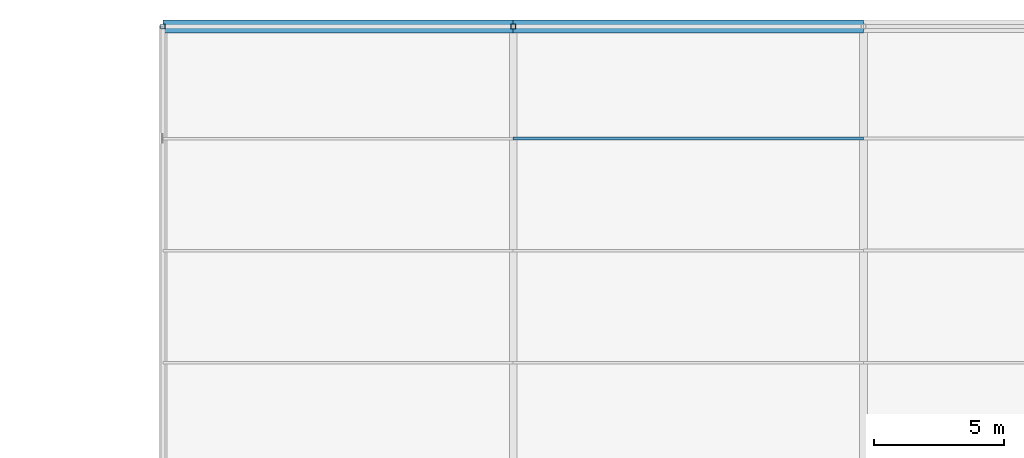
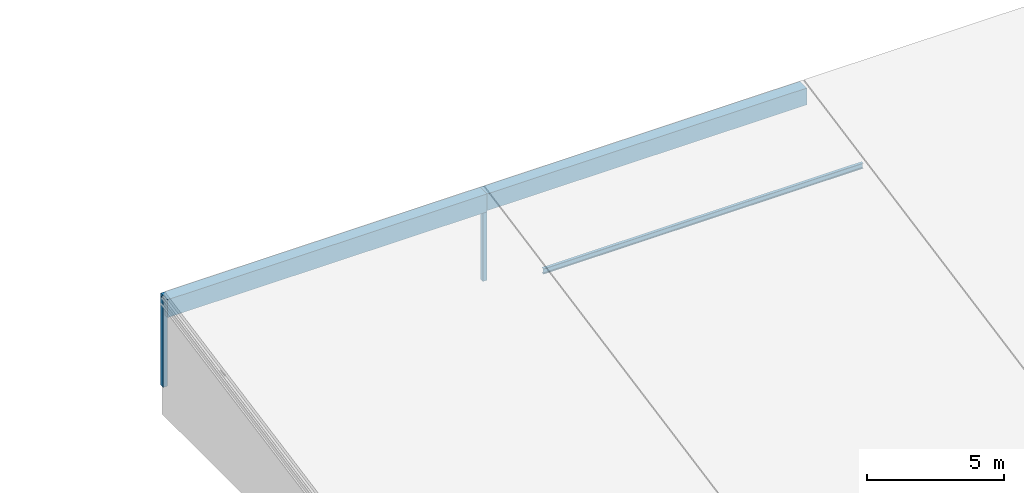
# One storey, part 41 of 80: 3 members, 2 beams.
"""IFC4 building model written with IfcOpenShell, lengths in metres."""

from ifc_helpers import new_model, si_unit, direction, frame, origin, origin_2d, place, context, subcontext, project, spatial, rectangle, hollow_rectangle, i_section, extrude, material, material_profile, profile_set, type_object, element, save


model = new_model("IFC4")

# Units and contexts
model_context = context("Model", 3, precision=1e-05, world=origin(), true_north=direction((0.0, 1.0)))
body_context = subcontext(model_context, "Body", "Model", "MODEL_VIEW")
ifc_project = project(units=[si_unit("LENGTHUNIT", "METRE"), si_unit("AREAUNIT", "SQUARE_METRE"), si_unit("VOLUMEUNIT", "CUBIC_METRE"), si_unit("PLANEANGLEUNIT", "RADIAN"), si_unit("MASSUNIT", "GRAM", prefix="KILO")], contexts=[model_context])

# Site, building, storey
site_placement = place(None, origin())
site = spatial("IfcSite", under=ifc_project, at=site_placement, CompositionType="ELEMENT")
building_placement = place(site_placement, origin())
building = spatial("IfcBuilding", under=site, at=building_placement, Name="Fikremerkos Civic Library", CompositionType="ELEMENT")
storey_placement = place(building_placement, frame((0.0, 0.0, 9.89990234375)))
storey = spatial("IfcBuildingStorey", under=building, at=storey_placement, Name="L02", CompositionType="ELEMENT", Elevation=9.89990234375)

# Members
ifc_material_1 = material(Name="Steel S355", Category="steel")
ifc_material_profile_1 = material_profile(ifc_material_1, hollow_rectangle(XDim=0.179931640625, YDim=0.179931640625, WallThickness=0.010009765625, at=origin_2d()), Name="SHS 180x180x10")
ifc_profile_set_1 = profile_set([ifc_material_profile_1], Name="Steel S355")
member_type_1 = type_object("IfcMemberType", Name="Frame post PST-02 SHS 180x180x10", PredefinedType="POST", material=ifc_profile_set_1)
for number, where, z_axis, x_axis, name in (
    (1, (73.199951171875, 117.60009765625, 0.0), (0.0, 0.0, 1.0), (1.0, 0.0, 0.0), "North-light roof post PST-02 X=73.2"),
    (2, (86.699951171875, 117.60009765625, 0.0), (0.0, 0.0, 1.0), (1.0, 0.0, 0.0), "North-light roof post PST-02 X=86.7"),
):
    element("IfcMember", number, at=place(storey_placement, frame(where, z_axis=z_axis, x_axis=x_axis)), inside=storey, type_object=member_type_1, Name=name, PredefinedType="POST", context=body_context, shape_type="SweptSolid", body=[
        extrude(hollow_rectangle(XDim=0.179931640625, YDim=0.179931640625, WallThickness=0.010009765625, at=origin_2d()), origin(), (0.0, 0.0, 1.0), 3.94873046875),
    ])

# Beams
ifc_material_2 = material(Name="Concrete C40/50", Category="concrete")
ifc_material_profile_2 = material_profile(ifc_material_2, rectangle(XDim=0.5, YDim=0.800048828125, at=origin_2d()), Name="RC 500x800")
ifc_profile_set_2 = profile_set([ifc_material_profile_2], Name="Concrete C40/50")
beam_type_1 = type_object("IfcBeamType", Name="Primary girder BM-04 RC 500x800", PredefinedType="BEAM", material=ifc_profile_set_2)
beam_1_placement = place(storey_placement, frame((73.199951171875, 117.60009765625, 3.57861328125), z_axis=(1.0, 0.0, 0.0), x_axis=(0.0, 1.0, 0.0)))
element("IfcBeam", 3, at=beam_1_placement, inside=storey, type_object=beam_type_1, Name="Primary girder BM-04 L02 grid N", PredefinedType="BEAM", context=body_context, shape_type="SweptSolid", body=[
    extrude(rectangle(XDim=0.5, YDim=0.800048828125, at=origin_2d()), origin(), (0.0, 0.0, 1.0), 13.5),
])
ifc_material_profile_3 = material_profile(ifc_material_2, rectangle(XDim=0.5, YDim=0.75, at=origin_2d()), Name="RC 500x750")
ifc_profile_set_3 = profile_set([ifc_material_profile_3], Name="Concrete C40/50")
beam_type_2 = type_object("IfcBeamType", Name="Primary girder BM-05 RC 500x750", PredefinedType="BEAM", material=ifc_profile_set_3)
beam_2_placement = place(storey_placement, frame((86.699951171875, 117.60009765625, 3.603759765625), z_axis=(1.0, 0.0, 0.0), x_axis=(0.0, 1.0, 0.0)))
element("IfcBeam", 4, at=beam_2_placement, inside=storey, type_object=beam_type_2, Name="Primary girder BM-05 L02 grid N", PredefinedType="BEAM", context=body_context, shape_type="SweptSolid", body=[
    extrude(rectangle(XDim=0.5, YDim=0.75, at=origin_2d()), origin(), (0.0, 0.0, 1.0), 13.5),
])

# Member
ifc_material_profile_4 = material_profile(ifc_material_1, i_section(OverallWidth=0.1201171875, OverallDepth=0.239990234375, WebThickness=0.006103515625, FlangeThickness=0.009765625, FilletRadius=0.014892578125, at=origin_2d()), Name="IPE 240")
ifc_profile_set_4 = profile_set([ifc_material_profile_4], Name="Steel S355")
member_type_2 = type_object("IfcMemberType", Name="Roof purlin PUR-01 IPE 240", PredefinedType="PURLIN", material=ifc_profile_set_4)
member_placement = place(storey_placement, frame((86.699951171875, 113.280029296875, 3.01513671875), z_axis=(1.0, 0.0, 0.0), x_axis=(0.0, 1.0, 0.0)))
element("IfcMember", 5, at=member_placement, inside=storey, type_object=member_type_2, Name="Roof purlin PUR-01 V2 bay 2.4", PredefinedType="PURLIN", context=body_context, shape_type="SweptSolid", body=[
    extrude(i_section(OverallWidth=0.1201171875, OverallDepth=0.239990234375, WebThickness=0.006103515625, FlangeThickness=0.009765625, FilletRadius=0.014892578125, at=origin_2d()), origin(), (0.0, 0.0, 1.0), 13.5),
])

save(model, "model.ifc")
